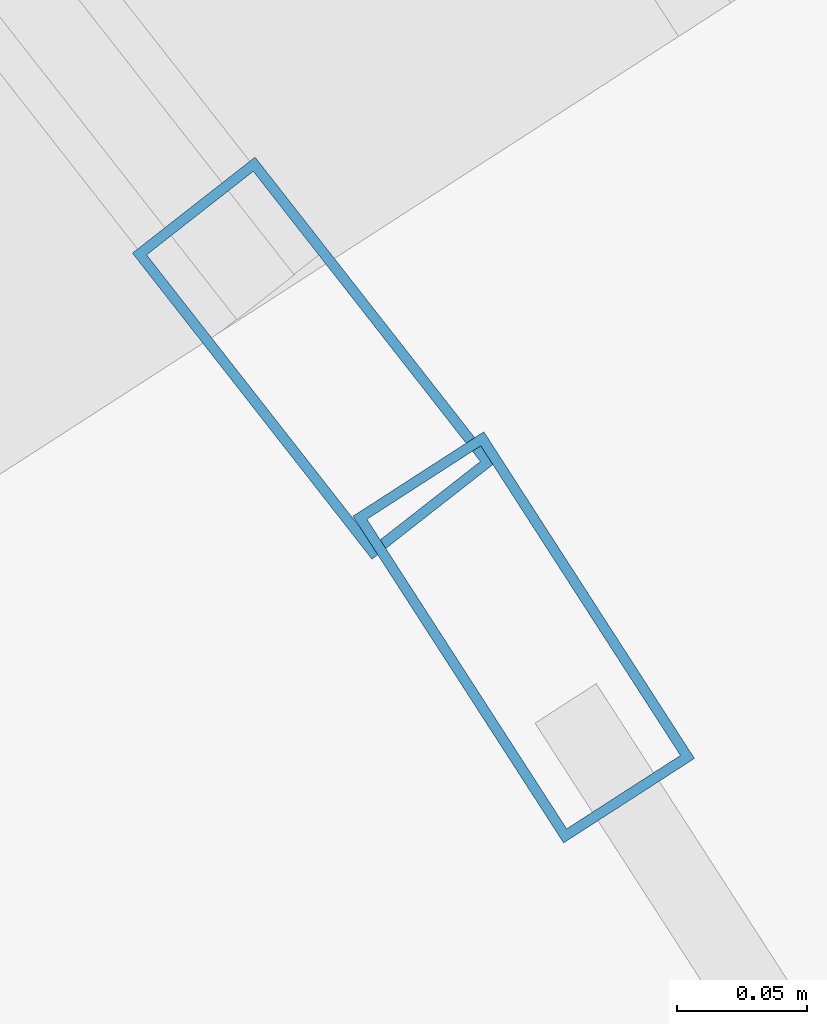
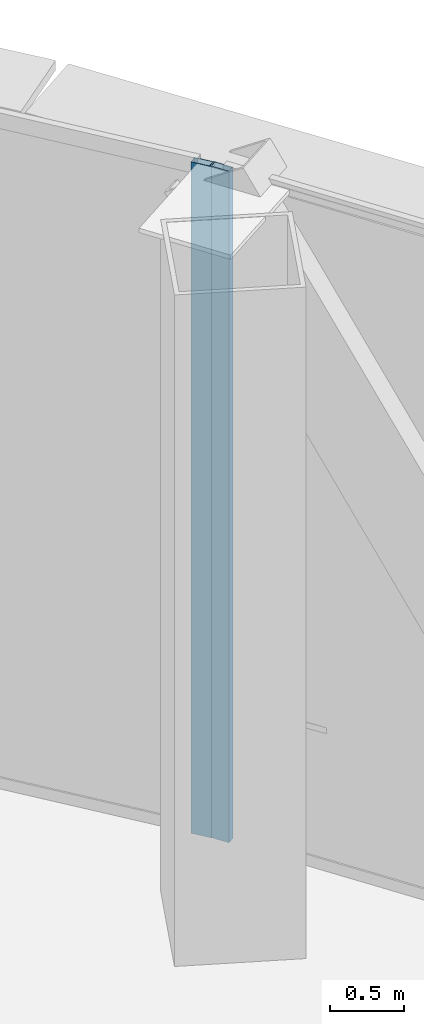
# One storey, part 22 of 38: 2 members, 2 elements without a shape of their own.
"""IFC4 building model written with IfcOpenShell, lengths in metres."""

import ifcopenshell
import ifcopenshell.guid

model = None  # the IFC model being written
_history = None  # IfcOwnerHistory: only IFC2X3 demands one
_inside = {}  # id of a spatial element -> (the spatial element, [elements in it])
_under = {}  # id of a project, library or spatial element -> (it, [spatial elements below it])
_declared = {}  # id of a project -> (the project, [libraries it declares])
_typed = {}  # id of a type object -> (the type object, [elements of that type])
_made_of = {}  # id of a material, layer set ... -> (it, [elements and type objects made of it])


def new_model(schema):
    """Start an empty IFC model of exactly this schema.

    Asked for "IFC4X3", IfcOpenShell would pick the latest addendum, in which some entities
    have other attributes; the version numbers below select the first issue.
    IFC2X3 requires an IfcOwnerHistory on every rooted entity: one is made here for all.
    """
    global model, _history
    if schema == "IFC4X3":
        model = ifcopenshell.file(schema_version=(4, 3, 0, 0))
    else:
        model = ifcopenshell.file(schema=schema)
    _inside.clear()
    _under.clear()
    _declared.clear()
    _typed.clear()
    _made_of.clear()
    _history = None
    if model.schema == "IFC2X3":
        org = make("IfcOrganization", Name="unknown")
        user = make(
            "IfcPersonAndOrganization",
            ThePerson=make("IfcPerson", FamilyName="unknown"),
            TheOrganization=org,
        )
        app = make(
            "IfcApplication",
            ApplicationDeveloper=org,
            Version="unknown",
            ApplicationFullName="unknown",
            ApplicationIdentifier="unknown",
        )
        _history = make(
            "IfcOwnerHistory",
            OwningUser=user,
            OwningApplication=app,
            ChangeAction="ADDED",
            CreationDate=0,
        )
    return model


def make(cls, **values):
    """One entity of the class cls with the attributes given. An attribute that is None is left unset."""
    return model.create_entity(
        cls, **{name: value for name, value in values.items() if value is not None}
    )


def rooted(cls, **values):
    """An entity with a GlobalId (a new one), such as an element, a storey or a relation."""
    return make(cls, GlobalId=ifcopenshell.guid.new(), OwnerHistory=_history, **values)


def si_unit(unit_type, name, prefix=None):
    """IfcSIUnit, for example si_unit("LENGTHUNIT", "METRE", prefix="MILLI")."""
    return make("IfcSIUnit", UnitType=unit_type, Prefix=prefix, Name=name)


def assignment(units):
    """IfcUnitAssignment: the units of a project."""
    return None if units is None else make("IfcUnitAssignment", Units=units)


def point(xyz):
    """IfcCartesianPoint."""
    return None if xyz is None else make("IfcCartesianPoint", Coordinates=xyz)


def direction(xyz):
    """IfcDirection."""
    return None if xyz is None else make("IfcDirection", DirectionRatios=xyz)


def frame(location, z_axis=None, x_axis=None):
    """IfcAxis2Placement3D, a coordinate frame: its origin and axes. An axis left out is left unset."""
    return make(
        "IfcAxis2Placement3D",
        Location=point(location),
        Axis=direction(z_axis),
        RefDirection=direction(x_axis),
    )


def frame_2d(location, x_axis=None):
    """IfcAxis2Placement2D, a coordinate frame in the plane: its origin and x axis."""
    return make(
        "IfcAxis2Placement2D", Location=point(location), RefDirection=direction(x_axis)
    )


def origin():
    """The frame at (0, 0, 0) with its axes left unset."""
    return frame((0.0, 0.0, 0.0))


def origin_2d():
    """The frame at (0, 0) in the plane with its x axis left unset."""
    return frame_2d((0.0, 0.0))


def place(relative_to, where):
    """IfcLocalPlacement: puts the frame where relative to a parent placement (None: the world)."""
    return make(
        "IfcLocalPlacement", PlacementRelTo=relative_to, RelativePlacement=where
    )


def context(
    kind, dimensions, precision=None, world=None, true_north=None, identifier=None
):
    """IfcGeometricRepresentationContext, for example the 3D "Model" context."""
    return make(
        "IfcGeometricRepresentationContext",
        ContextIdentifier=identifier,
        ContextType=kind,
        CoordinateSpaceDimension=dimensions,
        Precision=precision,
        WorldCoordinateSystem=world,
        TrueNorth=true_north,
    )


def subcontext(parent, identifier, kind, view, scale=None):
    """IfcGeometricRepresentationSubContext, for example "Body" below "Model"."""
    return make(
        "IfcGeometricRepresentationSubContext",
        ContextIdentifier=identifier,
        ContextType=kind,
        ParentContext=parent,
        TargetScale=scale,
        TargetView=view,
    )


def project(units=None, contexts=None):
    """IfcProject with its units and contexts."""
    return rooted(
        "IfcProject",
        Name="project",
        RepresentationContexts=contexts,
        UnitsInContext=assignment(units),
    )


def spatial(cls, under=None, at=None, **own):
    """A site, building, storey or space (cls), placed at a placement, below another one or the project."""
    s = rooted(cls, ObjectPlacement=at, **own)
    if under is not None:
        _under.setdefault(under.id(), (under, []))[1].append(s)
    return s


def profile(cls, at=None, kind="AREA", **sizes):
    """A parametric profile (cls). Its sizes go by their IFC names, for example OverallWidth=200.0."""
    return make(cls, ProfileType=kind, Position=at, **sizes)


def hollow_rectangle(**sizes):
    """IfcRectangleHollowProfileDef."""
    return profile("IfcRectangleHollowProfileDef", **sizes)


def extrude(swept, where, along, depth):
    """IfcExtrudedAreaSolid: the profile swept, set in the frame where, extruded along a direction by depth."""
    return make(
        "IfcExtrudedAreaSolid",
        SweptArea=swept,
        Position=where,
        ExtrudedDirection=direction(along),
        Depth=depth,
    )


def shape(context_of_items, identifier, shape_type, items):
    """IfcShapeRepresentation: the items that make up one representation, for example the "Body"."""
    return make(
        "IfcShapeRepresentation",
        ContextOfItems=context_of_items,
        RepresentationIdentifier=identifier,
        RepresentationType=shape_type,
        Items=items,
    )


def source(mapping_origin, context_of_items, identifier, shape_type, items):
    """IfcRepresentationMap: a shape defined once, which mapped items show again and again."""
    return make(
        "IfcRepresentationMap",
        MappingOrigin=mapping_origin,
        MappedRepresentation=shape(context_of_items, identifier, shape_type, items),
    )


def transform(
    local_origin,
    x_axis=None,
    y_axis=None,
    z_axis=None,
    scale=None,
    scale2=None,
    scale3=None,
    uniform=True,
):
    """IfcCartesianTransformationOperator3D, or its non-uniform kind. x_axis, y_axis, z_axis: its Axis1, 2, 3."""
    if uniform:
        return make(
            "IfcCartesianTransformationOperator3D",
            Axis1=direction(x_axis),
            Axis2=direction(y_axis),
            LocalOrigin=point(local_origin),
            Scale=scale,
            Axis3=direction(z_axis),
        )
    return make(
        "IfcCartesianTransformationOperator3DnonUniform",
        Axis1=direction(x_axis),
        Axis2=direction(y_axis),
        LocalOrigin=point(local_origin),
        Scale=scale,
        Axis3=direction(z_axis),
        Scale2=scale2,
        Scale3=scale3,
    )


def mapped(mapping_source, mapping_target):
    """IfcMappedItem: shows the shape of a source again, moved by a transform."""
    return make(
        "IfcMappedItem", MappingSource=mapping_source, MappingTarget=mapping_target
    )


def material(Name=None, Category=None):
    """IfcMaterial."""
    return make("IfcMaterial", Name=Name, Category=Category)


def layer(
    of_material, thickness, ventilated=None, Name=None, Category=None, Priority=None
):
    """IfcMaterialLayer: one layer of a wall or slab, of a material (None: an air gap)."""
    return make(
        "IfcMaterialLayer",
        Material=of_material,
        LayerThickness=thickness,
        IsVentilated=ventilated,
        Name=Name,
        Category=Category,
        Priority=Priority,
    )


def layer_set(layers, Name=None):
    """IfcMaterialLayerSet."""
    return make("IfcMaterialLayerSet", MaterialLayers=layers, LayerSetName=Name)


def material_profile(
    of_material, cross_section, Name=None, Category=None, Priority=None
):
    """IfcMaterialProfile: a cross section and its material."""
    return make(
        "IfcMaterialProfile",
        Name=Name,
        Material=of_material,
        Profile=cross_section,
        Priority=Priority,
        Category=Category,
    )


def profile_set(profiles, Name=None, composite=None):
    """IfcMaterialProfileSet."""
    return make(
        "IfcMaterialProfileSet",
        Name=Name,
        MaterialProfiles=profiles,
        CompositeProfile=composite,
    )


def made_of(thing, what):
    """Note that an element or type object is made of a material, layer set ...; save() writes the relation."""
    if what is not None:
        _made_of.setdefault(what.id(), (what, []))[1].append(thing)
    return thing


def type_object(cls, material=None, **own):
    """A type object (cls), such as IfcWallType, which elements share."""
    return made_of(rooted(cls, **own), material)


def element(
    cls,
    number,
    at=None,
    inside=None,
    cuts=None,
    type_object=None,
    material=None,
    context=None,
    identifier="Body",
    shape_type=None,
    held_by="IfcProductDefinitionShape",
    body=None,
    shapes=None,
    **own,
):
    """One element of the class cls, such as IfcWall. Its Tag is "e" and its number.

    at: its placement. inside: the storey or other place that contains it. cuts: it is an
    opening in that element (IfcRelVoidsElement). A single representation is given by context,
    identifier, shape_type and body (its items); several are given by shapes. held_by: the class
    of the entity that holds the representations. save() writes the other relations.
    """
    e = rooted(cls, Tag="e%d" % number, ObjectPlacement=at, **own)
    if body is not None:
        shapes = [shape(context, identifier, shape_type, body)]
    if shapes is not None:
        e.Representation = make(held_by, Representations=shapes)
    if inside is not None:
        _inside.setdefault(inside.id(), (inside, []))[1].append(e)
    if cuts is not None:
        rooted(
            "IfcRelVoidsElement", RelatingBuildingElement=cuts, RelatedOpeningElement=e
        )
    if type_object is not None:
        _typed.setdefault(type_object.id(), (type_object, []))[1].append(e)
    return made_of(e, material)


def aggregate(whole, parts):
    """IfcRelAggregates: a whole, such as a stair, and the parts it consists of."""
    return rooted("IfcRelAggregates", RelatingObject=whole, RelatedObjects=parts)


def save(model, path):
    """Write the relations noted so far, then the file.

    IfcRelAggregates (storeys below a building ...), IfcRelContainedInSpatialStructure (elements
    in a storey), IfcRelDefinesByType, IfcRelAssociatesMaterial and IfcRelDeclares: one each for
    every whole, place, type object, material and project.
    """
    for whole, parts in _under.values():
        aggregate(whole, parts)
    for where, things in _inside.values():
        rooted(
            "IfcRelContainedInSpatialStructure",
            RelatedElements=things,
            RelatingStructure=where,
        )
    for kind, things in _typed.values():
        rooted("IfcRelDefinesByType", RelatedObjects=things, RelatingType=kind)
    for what, things in _made_of.values():
        rooted("IfcRelAssociatesMaterial", RelatedObjects=things, RelatingMaterial=what)
    for by, libraries in _declared.values():
        rooted("IfcRelDeclares", RelatingContext=by, RelatedDefinitions=libraries)
    model.write(path)


model = new_model("IFC4")

# Units and contexts
model_context = context("Model", 3, precision=1e-05, world=origin(), true_north=direction((0.0, 1.0)))
body_context = subcontext(model_context, "Body", "Model", "MODEL_VIEW")
ifc_project = project(units=[si_unit("LENGTHUNIT", "METRE"), si_unit("AREAUNIT", "SQUARE_METRE"), si_unit("VOLUMEUNIT", "CUBIC_METRE"), si_unit("PLANEANGLEUNIT", "RADIAN"), si_unit("MASSUNIT", "GRAM", prefix="KILO"), si_unit("THERMODYNAMICTEMPERATUREUNIT", "KELVIN"), si_unit("POWERUNIT", "WATT")], contexts=[model_context])

# Site, building, storey
site_placement = place(None, origin())
site = spatial("IfcSite", under=ifc_project, at=site_placement, CompositionType="ELEMENT")
building_placement = place(site_placement, origin())
building = spatial("IfcBuilding", under=site, at=building_placement, Name="Yunzhuo Pagoda Commons", CompositionType="ELEMENT")
storey_placement = place(building_placement, frame((0.0, 0.0, 218.9599609375)))
storey = spatial("IfcBuildingStorey", under=building, at=storey_placement, Name="L55", CompositionType="ELEMENT", Elevation=218.9599609375)

# Curtain wall, member
ifc_material = material(Name="Anodized aluminium 6063-T6", Category="aluminium")
ifc_layer = layer(ifc_material, 0.14990234375)
ifc_layer_set = layer_set([ifc_layer], Name="Anodized aluminium 6063-T6")
curtain_wall_type = type_object("IfcCurtainWallType", Name="CW-MID Mid-Zone Ribbon Curtain Wall", PredefinedType="NOTDEFINED", material=ifc_layer_set)
curtain_wall_1_placement = place(storey_placement, origin())
curtain_wall_1 = element("IfcCurtainWall", 1, at=curtain_wall_1_placement, inside=storey, type_object=curtain_wall_type, Name="L55 curtain wall CW-L55-F2B4", PredefinedType="NOTDEFINED")
ifc_material_profile = material_profile(ifc_material, hollow_rectangle(XDim=0.06005859375, YDim=0.14990234375, WallThickness=0.00390625, at=origin_2d()), Name="Anodized aluminium 6063-T6")
ifc_profile_set = profile_set([ifc_material_profile], Name="Anodized aluminium 6063-T6")
member_type = type_object("IfcMemberType", Name="CW-MID-M Mullion RHS 150x60x4", PredefinedType="MULLION", material=ifc_profile_set)
shared_shape = source(origin(), body_context, "Body", "SweptSolid", [
    extrude(hollow_rectangle(XDim=0.06005859375, YDim=0.14990234375, WallThickness=0.00390625, at=origin_2d()), origin(), (0.0, 0.0, 1.0), 5.570068359375),
])
member_1_placement = place(storey_placement, frame((63.142333984375, 67.648681640625, 0.0), z_axis=(0.0, 0.0, 1.0), x_axis=(-0.840364735299, -0.542021320305, 0.0)))
member_1 = element("IfcMember", 2, at=member_1_placement, type_object=member_type, Name="CW mullion 2", PredefinedType="MULLION", context=body_context, shape_type="MappedRepresentation", body=[
    mapped(shared_shape, transform((0.0, 0.0, 0.0), scale=1.0)),
])
aggregate(curtain_wall_1, [member_1])

curtain_wall_2_placement = place(storey_placement, origin())
curtain_wall_2 = element("IfcCurtainWall", 3, at=curtain_wall_2_placement, inside=storey, type_object=curtain_wall_type, Name="L55 curtain wall CW-L55-F2B5", PredefinedType="NOTDEFINED")
member_2_placement = place(storey_placement, frame((63.061279296875, 67.75634765625, 0.0), z_axis=(0.0, 0.0, 1.0), x_axis=(-0.78738277393, -0.6164644088, 0.0)))
member_2 = element("IfcMember", 4, at=member_2_placement, type_object=member_type, Name="CW mullion 1", PredefinedType="MULLION", context=body_context, shape_type="MappedRepresentation", body=[
    mapped(shared_shape, transform((0.0, 0.0, 0.0), scale=1.0)),
])
aggregate(curtain_wall_2, [member_2])

save(model, "model.ifc")
